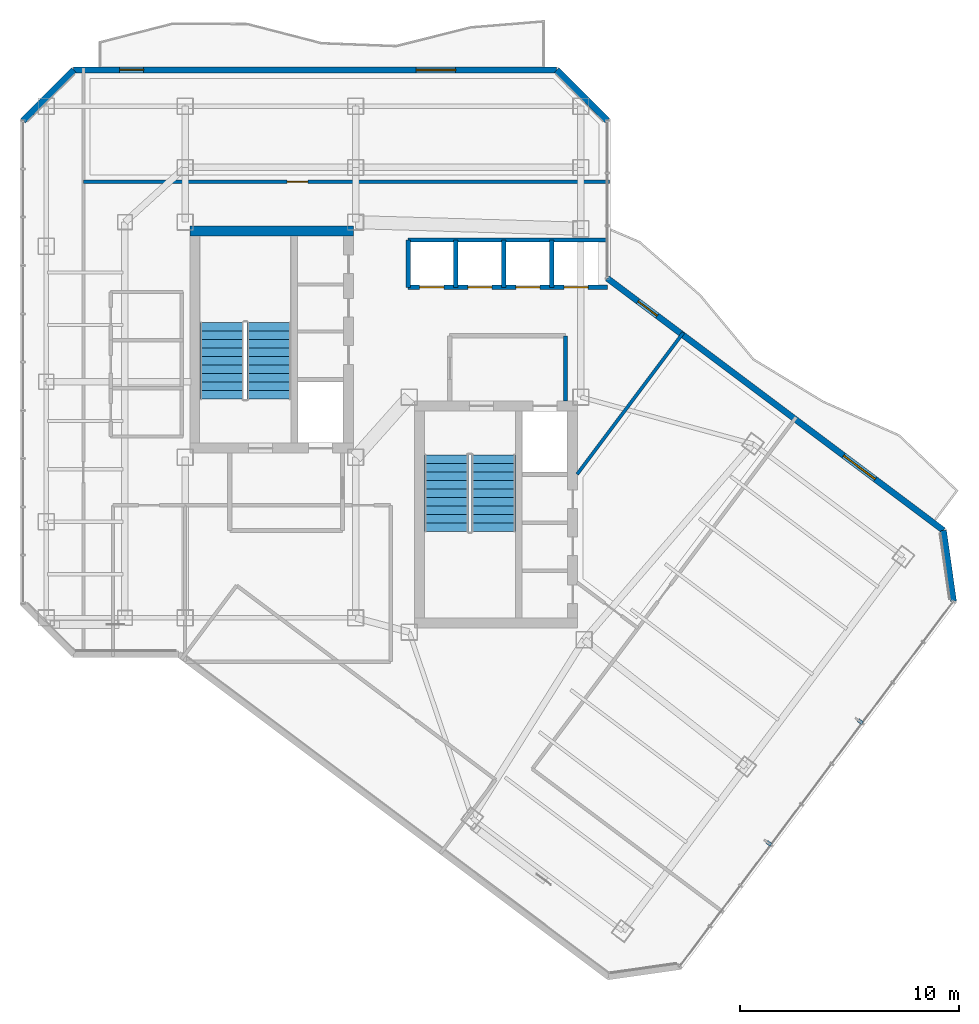
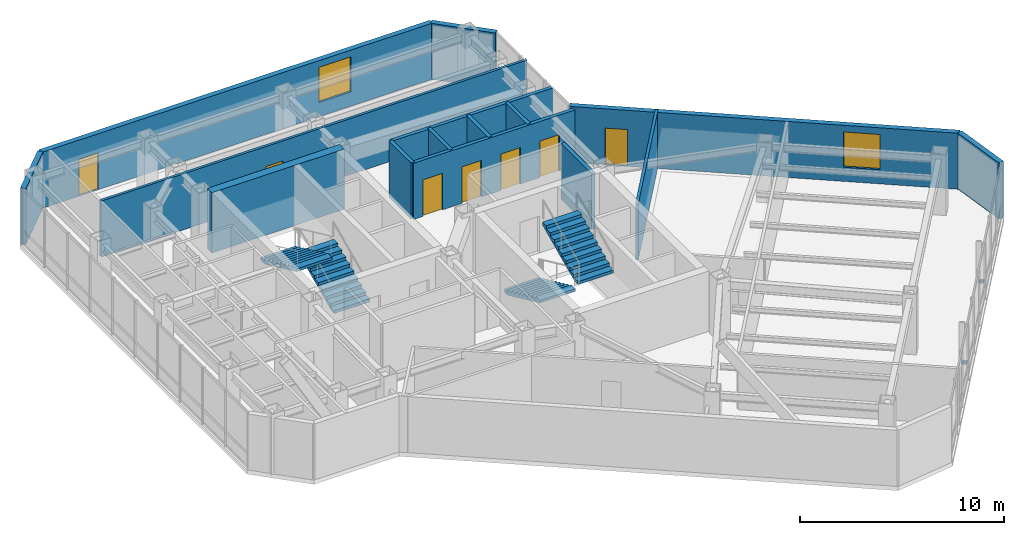
# One storey, part 21 of 25: 15 walls, 7 doors, 4 stair flights, 2 discrete accessories, 2 windows, 9 openings, 2 elements without a shape of their own.
"""IFC4 building model written with IfcOpenShell, lengths in metres."""

from ifc_helpers import new_model, si_unit, direction, frame, frame_2d, origin, origin_2d, place, context, subcontext, project, spatial, polyline, rectangle, outline, extrude, material, layer, layer_set, type_object, element, fill, aggregate, save


model = new_model("IFC4")

# Units and contexts
model_context = context("Model", 3, precision=1e-05, world=origin(), true_north=direction((0.0, 1.0)))
body_context = subcontext(model_context, "Body", "Model", "MODEL_VIEW")
ifc_project = project(units=[si_unit("LENGTHUNIT", "METRE"), si_unit("AREAUNIT", "SQUARE_METRE"), si_unit("VOLUMEUNIT", "CUBIC_METRE"), si_unit("PLANEANGLEUNIT", "RADIAN"), si_unit("MASSUNIT", "GRAM", prefix="KILO")], contexts=[model_context])

# Site, building, storey
site_placement = place(None, origin())
site = spatial("IfcSite", under=ifc_project, at=site_placement, CompositionType="ELEMENT")
building_placement = place(site_placement, origin())
building = spatial("IfcBuilding", under=site, at=building_placement, Name="Hatsunagi Terrace Concourse", CompositionType="ELEMENT")
storey_placement = place(building_placement, frame((0.0, 0.0, 205.949951171875)))
storey = spatial("IfcBuildingStorey", under=building, at=storey_placement, Name="L54", CompositionType="ELEMENT", Elevation=205.949951171875)

# Wall
ifc_material_1 = material(Name="Concrete Fc42", Category="concrete")
ifc_layer_1 = layer(ifc_material_1, 0.449951171875)
ifc_layer_set_1 = layer_set([ifc_layer_1], Name="CoreShearWall_Fc42_450")
wall_type_1 = type_object("IfcWallType", Name="CoreShearWall_Fc42_450", PredefinedType="SHEAR", material=ifc_layer_set_1)
wall_1_placement = place(storey_placement, frame((25.77001953125, 42.89501953125, 0.0), z_axis=(0.0, 0.0, 1.0), x_axis=(1.0, 0.0, 0.0)))
element("IfcWall", 1, at=wall_1_placement, inside=storey, type_object=wall_type_1, Name="Core A Shear Wall N L54", PredefinedType="SHEAR", context=body_context, shape_type="SweptSolid", body=[
    extrude(rectangle(XDim=7.47998046875, YDim=0.449951171875, at=frame_2d((3.739990234375, 0.0))), origin(), (0.0, 0.0, 1.0), 3.60009765625),
])

# Wall, opening, door
ifc_material_2 = material(Name="Acoustic mineral board", Category="gypsum")
ifc_layer_2 = layer(ifc_material_2, 0.14990234375)
ifc_layer_set_2 = layer_set([ifc_layer_2], Name="PartitionWall_EI60_150")
wall_type_2 = type_object("IfcWallType", Name="PartitionWall_EI60_150", PredefinedType="PARTITIONING", material=ifc_layer_set_2)
wall_2_placement = place(storey_placement, frame((20.89990234375, 45.14990234375, 0.0), z_axis=(0.0, 0.0, 1.0), x_axis=(1.0, 0.0, 0.0)))
wall_2 = element("IfcWall", 2, at=wall_2_placement, inside=storey, type_object=wall_type_2, Name="Interior Partition IW-L54-032", PredefinedType="PARTITIONING", context=body_context, shape_type="SweptSolid", body=[
    extrude(rectangle(XDim=24.06005859375, YDim=0.14990234375, at=frame_2d((12.030029296875, 0.0))), origin(), (0.0, 0.0, 1.0), 3.35009765625),
])
opening_1_placement = place(wall_2_placement, frame((9.320068359375, 0.0, 0.0)))
opening_1 = element("IfcOpeningElement", 3, at=opening_1_placement, cuts=wall_2, Name="Opening DR-095", PredefinedType="OPENING", context=body_context, shape_type="SweptSolid", body=[
    extrude(rectangle(XDim=0.949951171875, YDim=2.14990234375, at=frame_2d((0.47509765625, 1.074951171875))), frame((0.0, 0.0849609375, 0.0), z_axis=(0.0, -1.0, 0.0), x_axis=(1.0, 0.0, 0.0)), (0.0, 0.0, 1.0), 0.169921875),
])
ifc_material_3 = material(Name="Hardwood timber", Category="wood")
door_type_1 = type_object("IfcDoorType", Name="InteriorSuiteDoor_EI30_950", OperationType="NOTDEFINED", PredefinedType="DOOR", material=ifc_material_3)
door_1_placement = place(opening_1_placement, origin())
door_1 = element("IfcDoor", 4, at=door_1_placement, inside=storey, type_object=door_type_1, Name="Boardroom L54-ON1 Door", OperationType="SINGLE_SWING_RIGHT", OverallHeight=2.14990234375, OverallWidth=0.949951171875, PredefinedType="DOOR", context=body_context, shape_type="SweptSolid", body=[
    extrude(rectangle(XDim=0.949951171875, YDim=2.14990234375, at=frame_2d((0.47509765625, 1.074951171875))), frame((0.0, 0.02490234375, 0.0), z_axis=(0.0, -1.0, 0.0), x_axis=(1.0, 0.0, 0.0)), (0.0, 0.0, 1.0), 0.050048828125),
])
fill(opening_1, door_1)

# Walls
wall_3_placement = place(storey_placement, frame((43.47998046875, 31.77294921875, 0.0), z_axis=(0.0, 0.0, 1.0), x_axis=(0.599971041729, 0.800021717885, 0.0)))
element("IfcWall", 5, at=wall_3_placement, inside=storey, type_object=wall_type_2, Name="Interior Partition IW-L54-036", PredefinedType="PARTITIONING", context=body_context, shape_type="SweptSolid", body=[
    extrude(rectangle(XDim=8.09375, YDim=0.14990234375, at=frame_2d((4.046875, 0.0))), origin(), (0.0, 0.0, 1.0), 3.35009765625),
])
ifc_material_4 = material(Name="Acoustic mineral board", Category="gypsum")
ifc_layer_3 = layer(ifc_material_4, 0.199951171875)
ifc_layer_set_3 = layer_set([ifc_layer_3], Name="ShaftWall_EI120_200")
wall_type_3 = type_object("IfcWallType", Name="ShaftWall_EI120_200", PredefinedType="STANDARD", material=ifc_layer_set_3)
wall_4_placement = place(storey_placement, frame((42.949951171875, 35.1201171875, 0.0), z_axis=(0.0, 0.0, 1.0), x_axis=(0.0, 1.0, 0.0)))
element("IfcWall", 6, at=wall_4_placement, inside=storey, type_object=wall_type_3, Name="Interior Partition IW-L54-011", PredefinedType="STANDARD", context=body_context, shape_type="SweptSolid", body=[
    extrude(rectangle(XDim=2.97998046875, YDim=0.199951171875, at=frame_2d((1.489990234375, 0.0))), origin(), (0.0, 0.0, 1.0), 3.35009765625),
])
wall_5_placement = place(storey_placement, frame((35.75, 42.47998046875, 0.0), z_axis=(0.0, 0.0, 1.0), x_axis=(1.0, 0.0, 0.0)))
element("IfcWall", 7, at=wall_5_placement, inside=storey, type_object=wall_type_3, Name="Interior Partition IW-L54-013", PredefinedType="STANDARD", context=body_context, shape_type="SweptSolid", body=[
    extrude(rectangle(XDim=9.110107421875, YDim=0.199951171875, at=frame_2d((4.55517578125, 0.0))), origin(), (0.0, 0.0, 1.0), 3.35009765625),
])
for number, where, z_axis, x_axis, name in (
    (8, (35.75, 40.320068359375, 0.0), (0.0, 0.0, 1.0), (0.0, 1.0, 0.0), "Interior Partition IW-L54-014"),
    (9, (37.919921875, 40.320068359375, 0.0), (0.0, 0.0, 1.0), (0.0, 1.0, 0.0), "Interior Partition IW-L54-015"),
    (10, (40.1201171875, 40.320068359375, 0.0), (0.0, 0.0, 1.0), (0.0, 1.0, 0.0), "Interior Partition IW-L54-016"),
    (11, (42.320068359375, 40.320068359375, 0.0), (0.0, 0.0, 1.0), (0.0, 1.0, 0.0), "Interior Partition IW-L54-017"),
):
    element("IfcWall", number, at=place(storey_placement, frame(where, z_axis=z_axis, x_axis=x_axis)), inside=storey, type_object=wall_type_3, Name=name, PredefinedType="STANDARD", context=body_context, shape_type="SweptSolid", body=[
        extrude(rectangle(XDim=2.159912109375, YDim=0.199951171875, at=frame_2d((1.080078125, 0.0))), origin(), (0.0, 0.0, 1.0), 3.35009765625),
    ])

# Wall, openings, doors
wall_6_placement = place(storey_placement, frame((35.75, 40.320068359375, 0.0), z_axis=(0.0, 0.0, 1.0), x_axis=(1.0, 0.0, 0.0)))
wall_6 = element("IfcWall", 12, at=wall_6_placement, inside=storey, type_object=wall_type_3, Name="Interior Partition IW-L54-018", PredefinedType="STANDARD", context=body_context, shape_type="SweptSolid", body=[
    extrude(rectangle(XDim=9.110107421875, YDim=0.199951171875, at=frame_2d((4.55517578125, 0.0))), origin(), (0.0, 0.0, 1.0), 3.35009765625),
])
opening_2_placement = place(wall_6_placement, frame((0.530029296875, 0.0, 0.0)))
opening_2 = element("IfcOpeningElement", 13, at=opening_2_placement, cuts=wall_6, Name="Opening LD-04", PredefinedType="OPENING", context=body_context, shape_type="SweptSolid", body=[
    extrude(rectangle(XDim=1.10009765625, YDim=2.179931640625, at=frame_2d((0.550048828125, 1.08984375))), frame((0.0, 0.10986328125, 0.0), z_axis=(0.0, -1.0, 0.0), x_axis=(1.0, 0.0, 0.0)), (0.0, 0.0, 1.0), 0.219970703125),
])
opening_3_placement = place(wall_6_placement, frame((2.72998046875, 0.0, 0.0)))
opening_3 = element("IfcOpeningElement", 14, at=opening_3_placement, cuts=wall_6, Name="Opening LD-04", PredefinedType="OPENING", context=body_context, shape_type="SweptSolid", body=[
    extrude(rectangle(XDim=1.10009765625, YDim=2.179931640625, at=frame_2d((0.550048828125, 1.08984375))), frame((0.0, 0.10986328125, 0.0), z_axis=(0.0, -1.0, 0.0), x_axis=(1.0, 0.0, 0.0)), (0.0, 0.0, 1.0), 0.219970703125),
])
opening_4_placement = place(wall_6_placement, frame((4.929931640625, 0.0, 0.0)))
opening_4 = element("IfcOpeningElement", 15, at=opening_4_placement, cuts=wall_6, Name="Opening LD-04", PredefinedType="OPENING", context=body_context, shape_type="SweptSolid", body=[
    extrude(rectangle(XDim=1.10009765625, YDim=2.179931640625, at=frame_2d((0.550048828125, 1.08984375))), frame((0.0, 0.10986328125, 0.0), z_axis=(0.0, -1.0, 0.0), x_axis=(1.0, 0.0, 0.0)), (0.0, 0.0, 1.0), 0.219970703125),
])
opening_5_placement = place(wall_6_placement, frame((7.1298828125, 0.0, 0.0)))
opening_5 = element("IfcOpeningElement", 16, at=opening_5_placement, cuts=wall_6, Name="Opening LD-04", PredefinedType="OPENING", context=body_context, shape_type="SweptSolid", body=[
    extrude(rectangle(XDim=1.10009765625, YDim=2.179931640625, at=frame_2d((0.550048828125, 1.08984375))), frame((0.0, 0.10986328125, 0.0), z_axis=(0.0, -1.0, 0.0), x_axis=(1.0, 0.0, 0.0)), (0.0, 0.0, 1.0), 0.219970703125),
])
ifc_material_5 = material(Name="Stainless steel", Category="steel")
door_type_2 = type_object("IfcDoorType", Name="LiftLandingDoor_LD04", OperationType="SLIDING_TO_RIGHT", PredefinedType="USERDEFINED", material=ifc_material_5)
door_2_placement = place(opening_2_placement, origin())
door_2 = element("IfcDoor", 17, at=door_2_placement, inside=storey, type_object=door_type_2, Name="Lift landing door PL-05 L54", ObjectType="SLIDING_LANDING_DOOR", OperationType="SLIDING_TO_RIGHT", OverallHeight=2.179931640625, OverallWidth=1.10009765625, PredefinedType="USERDEFINED", context=body_context, shape_type="SweptSolid", body=[
    extrude(rectangle(XDim=1.10009765625, YDim=2.179931640625, at=frame_2d((0.550048828125, 1.08984375))), frame((0.0, 0.02490234375, 0.0), z_axis=(0.0, -1.0, 0.0), x_axis=(1.0, 0.0, 0.0)), (0.0, 0.0, 1.0), 0.050048828125),
])
fill(opening_2, door_2)
door_3_placement = place(opening_3_placement, origin())
door_3 = element("IfcDoor", 18, at=door_3_placement, inside=storey, type_object=door_type_2, Name="Lift landing door PL-06 L54", ObjectType="SLIDING_LANDING_DOOR", OperationType="SLIDING_TO_RIGHT", OverallHeight=2.179931640625, OverallWidth=1.10009765625, PredefinedType="USERDEFINED", context=body_context, shape_type="SweptSolid", body=[
    extrude(rectangle(XDim=1.10009765625, YDim=2.179931640625, at=frame_2d((0.550048828125, 1.08984375))), frame((0.0, 0.02490234375, 0.0), z_axis=(0.0, -1.0, 0.0), x_axis=(1.0, 0.0, 0.0)), (0.0, 0.0, 1.0), 0.050048828125),
])
fill(opening_3, door_3)
door_4_placement = place(opening_4_placement, origin())
door_4 = element("IfcDoor", 19, at=door_4_placement, inside=storey, type_object=door_type_2, Name="Lift landing door PL-07 L54", ObjectType="SLIDING_LANDING_DOOR", OperationType="SLIDING_TO_RIGHT", OverallHeight=2.179931640625, OverallWidth=1.10009765625, PredefinedType="USERDEFINED", context=body_context, shape_type="SweptSolid", body=[
    extrude(rectangle(XDim=1.10009765625, YDim=2.179931640625, at=frame_2d((0.550048828125, 1.08984375))), frame((0.0, 0.02490234375, 0.0), z_axis=(0.0, -1.0, 0.0), x_axis=(1.0, 0.0, 0.0)), (0.0, 0.0, 1.0), 0.050048828125),
])
fill(opening_4, door_4)
door_5_placement = place(opening_5_placement, origin())
door_5 = element("IfcDoor", 20, at=door_5_placement, inside=storey, type_object=door_type_2, Name="Lift landing door PL-08 L54", ObjectType="SLIDING_LANDING_DOOR", OperationType="SLIDING_TO_RIGHT", OverallHeight=2.179931640625, OverallWidth=1.10009765625, PredefinedType="USERDEFINED", context=body_context, shape_type="SweptSolid", body=[
    extrude(rectangle(XDim=1.10009765625, YDim=2.179931640625, at=frame_2d((0.550048828125, 1.08984375))), frame((0.0, 0.02490234375, 0.0), z_axis=(0.0, -1.0, 0.0), x_axis=(1.0, 0.0, 0.0)), (0.0, 0.0, 1.0), 0.050048828125),
])
fill(opening_5, door_5)

# Wall, openings, door, window
ifc_material_6 = material(Name="Autoclaved Lightweight Concrete and Terracotta Cladding", Category="masonry")
ifc_layer_4 = layer(ifc_material_6, 0.280029296875)
ifc_layer_set_4 = layer_set([ifc_layer_4], Name="TerracottaSpandrelWall_280")
wall_type_4 = type_object("IfcWallType", Name="TerracottaSpandrelWall_280", PredefinedType="STANDARD", material=ifc_layer_set_4)
wall_7_placement = place(storey_placement, frame((44.860107421875, 40.72998046875, 0.0), z_axis=(0.0, 0.0, 1.0), x_axis=(0.800007624502, -0.599989833863, 0.0)))
wall_7 = element("IfcWall", 21, at=wall_7_placement, inside=storey, type_object=wall_type_4, Name="Exterior Spandrel Wall EW-L54-01", PredefinedType="STANDARD", context=body_context, shape_type="SweptSolid", body=[
    extrude(rectangle(XDim=19.212158203125, YDim=0.280029296875, at=frame_2d((9.60595703125, 0.0))), origin(), (0.0, 0.0, 1.0), 3.35009765625),
])
opening_6_placement = place(wall_7_placement, frame((1.7548828125, 0.0, 0.0)))
opening_6 = element("IfcOpeningElement", 22, at=opening_6_placement, cuts=wall_7, Name="Opening BD-01", PredefinedType="OPENING", context=body_context, shape_type="SweptSolid", body=[
    extrude(rectangle(XDim=1.10009765625, YDim=2.199951171875, at=frame_2d((0.550048828125, 1.10009765625))), frame((0.0, 0.14990234375, 0.0), z_axis=(0.0, -1.0, 0.0), x_axis=(1.0, 0.0, 0.0)), (0.0, 0.0, 1.0), 0.300048828125),
])
opening_7_placement = place(wall_7_placement, frame((13.509033203125, 0.0, 0.85009765625)))
opening_7 = element("IfcOpeningElement", 23, at=opening_7_placement, cuts=wall_7, Name="Opening WIN-03", PredefinedType="OPENING", context=body_context, shape_type="SweptSolid", body=[
    extrude(rectangle(XDim=1.800048828125, YDim=2.10009765625, at=frame_2d((0.89990234375, 1.050048828125))), frame((0.0, 0.14990234375, 0.0), z_axis=(0.0, -1.0, 0.0), x_axis=(1.0, 0.0, 0.0)), (0.0, 0.0, 1.0), 0.300048828125),
])
ifc_material_7 = material(Name="Galvanised Steel and Laminated Safety Glass", Category="steel")
door_type_3 = type_object("IfcDoorType", Name="BalconyTerraceAccessDoor_1100x2200", OperationType="SINGLE_SWING_LEFT", PredefinedType="DOOR", material=ifc_material_7)
door_6_placement = place(opening_6_placement, origin())
door_6 = element("IfcDoor", 24, at=door_6_placement, inside=storey, type_object=door_type_3, Name="Engawa Balcony Door L54-BSE", OperationType="SINGLE_SWING_LEFT", OverallHeight=2.199951171875, OverallWidth=1.10009765625, PredefinedType="DOOR", context=body_context, shape_type="SweptSolid", body=[
    extrude(rectangle(XDim=1.10009765625, YDim=2.199951171875, at=frame_2d((0.550048828125, 1.10009765625))), frame((0.0, 0.02490234375, 0.0), z_axis=(0.0, -1.0, 0.0), x_axis=(1.0, 0.0, 0.0)), (0.0, 0.0, 1.0), 0.050048828125),
])
fill(opening_6, door_6)
ifc_material_8 = material(Name="Thermally Broken Aluminium and Low-E Triple Glazing", Category="aluminium")
window_type = type_object("IfcWindowType", Name="OfficeCornerFeatureWindow_1800x2100", PartitioningType="SINGLE_PANEL", PredefinedType="WINDOW", material=ifc_material_8)
window_1_placement = place(opening_7_placement, origin())
window_1 = element("IfcWindow", 25, at=window_1_placement, inside=storey, type_object=window_type, Name="Balcony Daylighting Window L54-01-2", OverallHeight=2.10009765625, OverallWidth=1.800048828125, PartitioningType="SINGLE_PANEL", PredefinedType="WINDOW", context=body_context, shape_type="SweptSolid", body=[
    extrude(rectangle(XDim=1.800048828125, YDim=2.10009765625, at=frame_2d((0.89990234375, 1.050048828125))), frame((0.0, 0.030029296875, 0.0), z_axis=(0.0, -1.0, 0.0), x_axis=(1.0, 0.0, 0.0)), (0.0, 0.0, 1.0), 0.06005859375),
])
fill(opening_7, window_1)

# Walls
wall_8_placement = place(storey_placement, frame((60.22998046875, 29.202880859375, 0.0), z_axis=(0.0, 0.0, 1.0), x_axis=(0.141296221922, -0.989967361922, 0.0)))
element("IfcWall", 26, at=wall_8_placement, inside=storey, type_object=wall_type_4, Name="Exterior Spandrel Wall EW-L54-02", PredefinedType="STANDARD", context=body_context, shape_type="SweptSolid", body=[
    extrude(rectangle(XDim=3.27783203125, YDim=0.280029296875, at=frame_2d((1.638916015625, 0.0))), origin(), (0.0, 0.0, 1.0), 3.35009765625),
])
wall_9_placement = place(storey_placement, frame((18.139892578125, 47.94189453125, 0.0), z_axis=(0.0, 0.0, 1.0), x_axis=(0.707106781187, 0.707106781187, 0.0)))
element("IfcWall", 27, at=wall_9_placement, inside=storey, type_object=wall_type_4, Name="Exterior Spandrel Wall EW-L54-09", PredefinedType="STANDARD", context=body_context, shape_type="SweptSolid", body=[
    extrude(rectangle(XDim=3.2783203125, YDim=0.280029296875, at=frame_2d((1.63916015625, 0.0))), origin(), (0.0, 0.0, 1.0), 3.35009765625),
])

# Wall, openings, door, window
wall_10_placement = place(storey_placement, frame((20.4580078125, 50.260009765625, 0.0), z_axis=(0.0, 0.0, 1.0), x_axis=(1.0, 0.0, 0.0)))
wall_10 = element("IfcWall", 28, at=wall_10_placement, inside=storey, type_object=wall_type_4, Name="Exterior Spandrel Wall EW-L54-10", PredefinedType="STANDARD", context=body_context, shape_type="SweptSolid", body=[
    extrude(rectangle(XDim=22.083984375, YDim=0.280029296875, at=frame_2d((11.0419921875, 0.0))), origin(), (0.0, 0.0, 1.0), 3.35009765625),
])
opening_8_placement = place(wall_10_placement, frame((2.10009765625, 0.0, 0.0)))
opening_8 = element("IfcOpeningElement", 29, at=opening_8_placement, cuts=wall_10, Name="Opening BD-01", PredefinedType="OPENING", context=body_context, shape_type="SweptSolid", body=[
    extrude(rectangle(XDim=1.10009765625, YDim=2.199951171875, at=frame_2d((0.550048828125, 1.10009765625))), frame((0.0, 0.14990234375, 0.0), z_axis=(0.0, -1.0, 0.0), x_axis=(1.0, 0.0, 0.0)), (0.0, 0.0, 1.0), 0.300048828125),
])
opening_9_placement = place(wall_10_placement, frame((15.6630859375, 0.0, 0.85009765625)))
opening_9 = element("IfcOpeningElement", 30, at=opening_9_placement, cuts=wall_10, Name="Opening WIN-03", PredefinedType="OPENING", context=body_context, shape_type="SweptSolid", body=[
    extrude(rectangle(XDim=1.800048828125, YDim=2.10009765625, at=frame_2d((0.89990234375, 1.050048828125))), frame((0.0, 0.14990234375, 0.0), z_axis=(0.0, -1.0, 0.0), x_axis=(1.0, 0.0, 0.0)), (0.0, 0.0, 1.0), 0.300048828125),
])
door_7_placement = place(opening_8_placement, origin())
door_7 = element("IfcDoor", 31, at=door_7_placement, inside=storey, type_object=door_type_3, Name="Engawa Balcony Door L54-BN", OperationType="SINGLE_SWING_RIGHT", OverallHeight=2.199951171875, OverallWidth=1.10009765625, PredefinedType="DOOR", context=body_context, shape_type="SweptSolid", body=[
    extrude(rectangle(XDim=1.10009765625, YDim=2.199951171875, at=frame_2d((0.550048828125, 1.10009765625))), frame((0.0, 0.02490234375, 0.0), z_axis=(0.0, -1.0, 0.0), x_axis=(1.0, 0.0, 0.0)), (0.0, 0.0, 1.0), 0.050048828125),
])
fill(opening_8, door_7)
window_2_placement = place(opening_9_placement, origin())
window_2 = element("IfcWindow", 32, at=window_2_placement, inside=storey, type_object=window_type, Name="Balcony Daylighting Window L54-10-2", OverallHeight=2.10009765625, OverallWidth=1.800048828125, PartitioningType="SINGLE_PANEL", PredefinedType="WINDOW", context=body_context, shape_type="SweptSolid", body=[
    extrude(rectangle(XDim=1.800048828125, YDim=2.10009765625, at=frame_2d((0.89990234375, 1.050048828125))), frame((0.0, 0.030029296875, 0.0), z_axis=(0.0, -1.0, 0.0), x_axis=(1.0, 0.0, 0.0)), (0.0, 0.0, 1.0), 0.06005859375),
])
fill(opening_9, window_2)

# Wall
wall_11_placement = place(storey_placement, frame((42.5419921875, 50.260009765625, 0.0), z_axis=(0.0, 0.0, 1.0), x_axis=(0.707106781187, -0.707106781187, 0.0)))
element("IfcWall", 33, at=wall_11_placement, inside=storey, type_object=wall_type_4, Name="Exterior Spandrel Wall EW-L54-11", PredefinedType="STANDARD", context=body_context, shape_type="SweptSolid", body=[
    extrude(rectangle(XDim=3.2783203125, YDim=0.280029296875, at=frame_2d((1.63916015625, 0.0))), origin(), (0.0, 0.0, 1.0), 3.35009765625),
])

# Stair, stair flights
ifc_material_9 = material(Name="Concrete Fc42", Category="concrete")
stair_type = type_object("IfcStairType", Name="DoglegExitStair_Tower2000_20R_180", PredefinedType="HALF_TURN_STAIR", material=ifc_material_9)
stair_1_placement = place(storey_placement, origin())
stair_1 = element("IfcStair", 34, at=stair_1_placement, inside=storey, type_object=stair_type, Name="L54 Core A Protected Exit Stair ST-A", PredefinedType="HALF_TURN_STAIR")
ifc_material_10 = material(Name="Concrete Fc42", Category="concrete")
stair_flight_type = type_object("IfcStairFlightType", Name="DoglegStairFlight_Tower2000_20R_180", PredefinedType="STRAIGHT", material=ifc_material_10)
stair_flight_1_placement = place(storey_placement, frame((29.3798828125, 35.199951171875, 0.0), z_axis=(0.0, 0.0, 1.0), x_axis=(0.0, 1.0, 0.0)))
stair_flight_1 = element("IfcStairFlight", 35, at=stair_flight_1_placement, type_object=stair_flight_type, Name="ST-A flight 1", NumberOfRisers=10, NumberOfTreads=9, PredefinedType="STRAIGHT", RiserHeight=0.18, TreadLength=0.39, context=body_context, shape_type="SweptSolid", body=[
    extrude(outline(polyline([(0.0, 0.0), (0.0, 0.179931640625), (0.389892578125, 0.179931640625), (0.389892578125, 0.360107421875), (0.780029296875, 0.360107421875), (0.780029296875, 0.5400390625), (1.169921875, 0.5400390625), (1.169921875, 0.719970703125), (1.56005859375, 0.719970703125), (1.56005859375, 0.89990234375), (1.949951171875, 0.89990234375), (1.949951171875, 1.080078125), (2.340087890625, 1.080078125), (2.340087890625, 1.260009765625), (2.72998046875, 1.260009765625), (2.72998046875, 1.43994140625), (3.1201171875, 1.43994140625), (3.1201171875, 1.6201171875), (3.510009765625, 1.6201171875), (3.510009765625, 1.800048828125), (3.510009765625, 1.454833984375), (0.357666015625, 0.0), (0.0, 0.0)])), frame((0.0, 1.0, 0.0), z_axis=(0.0, -1.0, 0.0), x_axis=(1.0, 0.0, 0.0)), (0.0, 0.0, 1.0), 2.0),
])
stair_flight_2_placement = place(storey_placement, frame((27.22998046875, 38.7099609375, 1.800048828125), z_axis=(0.0, 0.0, 1.0), x_axis=(0.0, -1.0, 0.0)))
stair_flight_2 = element("IfcStairFlight", 36, at=stair_flight_2_placement, type_object=stair_flight_type, Name="ST-A flight 2", NumberOfRisers=10, NumberOfTreads=9, PredefinedType="STRAIGHT", RiserHeight=0.18, TreadLength=0.39, context=body_context, shape_type="SweptSolid", body=[
    extrude(outline(polyline([(0.0, 0.0), (0.0, 0.179931640625), (0.389892578125, 0.179931640625), (0.389892578125, 0.360107421875), (0.780029296875, 0.360107421875), (0.780029296875, 0.5400390625), (1.169921875, 0.5400390625), (1.169921875, 0.719970703125), (1.56005859375, 0.719970703125), (1.56005859375, 0.89990234375), (1.949951171875, 0.89990234375), (1.949951171875, 1.080078125), (2.340087890625, 1.080078125), (2.340087890625, 1.260009765625), (2.72998046875, 1.260009765625), (2.72998046875, 1.43994140625), (3.1201171875, 1.43994140625), (3.1201171875, 1.6201171875), (3.510009765625, 1.6201171875), (3.510009765625, 1.800048828125), (3.510009765625, 1.454833984375), (0.357666015625, 0.0), (0.0, 0.0)])), frame((0.0, 1.0, 0.0), z_axis=(0.0, -1.0, 0.0), x_axis=(1.0, 0.0, 0.0)), (0.0, 0.0, 1.0), 2.0),
])
aggregate(stair_1, [stair_flight_1, stair_flight_2])

stair_2_placement = place(storey_placement, origin())
stair_2 = element("IfcStair", 37, at=stair_2_placement, inside=storey, type_object=stair_type, Name="L54 Core B Protected Exit Stair ST-B", PredefinedType="HALF_TURN_STAIR")
stair_flight_3_placement = place(storey_placement, frame((37.5, 32.659912109375, 0.0), z_axis=(0.0, 0.0, 1.0), x_axis=(0.0, -1.0, 0.0)))
stair_flight_3 = element("IfcStairFlight", 38, at=stair_flight_3_placement, type_object=stair_flight_type, Name="ST-B flight 1", NumberOfRisers=10, NumberOfTreads=9, PredefinedType="STRAIGHT", RiserHeight=0.18, TreadLength=0.39, context=body_context, shape_type="SweptSolid", body=[
    extrude(outline(polyline([(0.0, 0.0), (0.0, 0.179931640625), (0.389892578125, 0.179931640625), (0.389892578125, 0.360107421875), (0.780029296875, 0.360107421875), (0.780029296875, 0.5400390625), (1.169921875, 0.5400390625), (1.169921875, 0.719970703125), (1.56005859375, 0.719970703125), (1.56005859375, 0.89990234375), (1.949951171875, 0.89990234375), (1.949951171875, 1.080078125), (2.340087890625, 1.080078125), (2.340087890625, 1.260009765625), (2.72998046875, 1.260009765625), (2.72998046875, 1.43994140625), (3.1201171875, 1.43994140625), (3.1201171875, 1.6201171875), (3.510009765625, 1.6201171875), (3.510009765625, 1.800048828125), (3.510009765625, 1.454833984375), (0.357666015625, 0.0), (0.0, 0.0)])), frame((0.0, 1.0, 0.0), z_axis=(0.0, -1.0, 0.0), x_axis=(1.0, 0.0, 0.0)), (0.0, 0.0, 1.0), 2.0),
])
stair_flight_4_placement = place(storey_placement, frame((39.64990234375, 29.14990234375, 1.800048828125), z_axis=(0.0, 0.0, 1.0), x_axis=(0.0, 1.0, 0.0)))
stair_flight_4 = element("IfcStairFlight", 39, at=stair_flight_4_placement, type_object=stair_flight_type, Name="ST-B flight 2", NumberOfRisers=10, NumberOfTreads=9, PredefinedType="STRAIGHT", RiserHeight=0.18, TreadLength=0.39, context=body_context, shape_type="SweptSolid", body=[
    extrude(outline(polyline([(0.0, 0.0), (0.0, 0.179931640625), (0.389892578125, 0.179931640625), (0.389892578125, 0.360107421875), (0.780029296875, 0.360107421875), (0.780029296875, 0.5400390625), (1.169921875, 0.5400390625), (1.169921875, 0.719970703125), (1.56005859375, 0.719970703125), (1.56005859375, 0.89990234375), (1.949951171875, 0.89990234375), (1.949951171875, 1.080078125), (2.340087890625, 1.080078125), (2.340087890625, 1.260009765625), (2.72998046875, 1.260009765625), (2.72998046875, 1.43994140625), (3.1201171875, 1.43994140625), (3.1201171875, 1.6201171875), (3.510009765625, 1.6201171875), (3.510009765625, 1.800048828125), (3.510009765625, 1.454833984375), (0.357666015625, 0.0), (0.0, 0.0)])), frame((0.0, 1.0, 0.0), z_axis=(0.0, -1.0, 0.0), x_axis=(1.0, 0.0, 0.0)), (0.0, 0.0, 1.0), 2.0),
])
aggregate(stair_2, [stair_flight_3, stair_flight_4])

# Discrete accessories
ifc_material_11 = material(Name="Stainless Steel SUS316 Bracket", Category="steel")
discrete_accessory_type = type_object("IfcDiscreteAccessoryType", Name="FacadeScreenSupportBracket_SS", PredefinedType="BRACKET", material=ifc_material_11)
for number, where, z_axis, x_axis, name in (
    (40, (56.427978515625, 20.455078125, 0.97021484375), (0.0, 0.0, 1.0), (-0.599969314634, -0.800023013105, 0.0), "Terracotta Screen Bracket BRK-01"),
    (41, (52.251953125, 14.885009765625, 0.97021484375), (0.0, 0.0, 1.0), (-0.599969314634, -0.800023013105, 0.0), "Terracotta Screen Bracket BRK-01"),
):
    element("IfcDiscreteAccessory", number, at=place(storey_placement, frame(where, z_axis=z_axis, x_axis=x_axis)), inside=storey, type_object=discrete_accessory_type, Name=name, PredefinedType="BRACKET", context=body_context, shape_type="SweptSolid", body=[
        extrude(rectangle(XDim=0.159912109375, YDim=0.239990234375, at=origin_2d()), origin(), (0.0, 0.0, 1.0), 0.159912109375),
    ])

save(model, "model.ifc")
